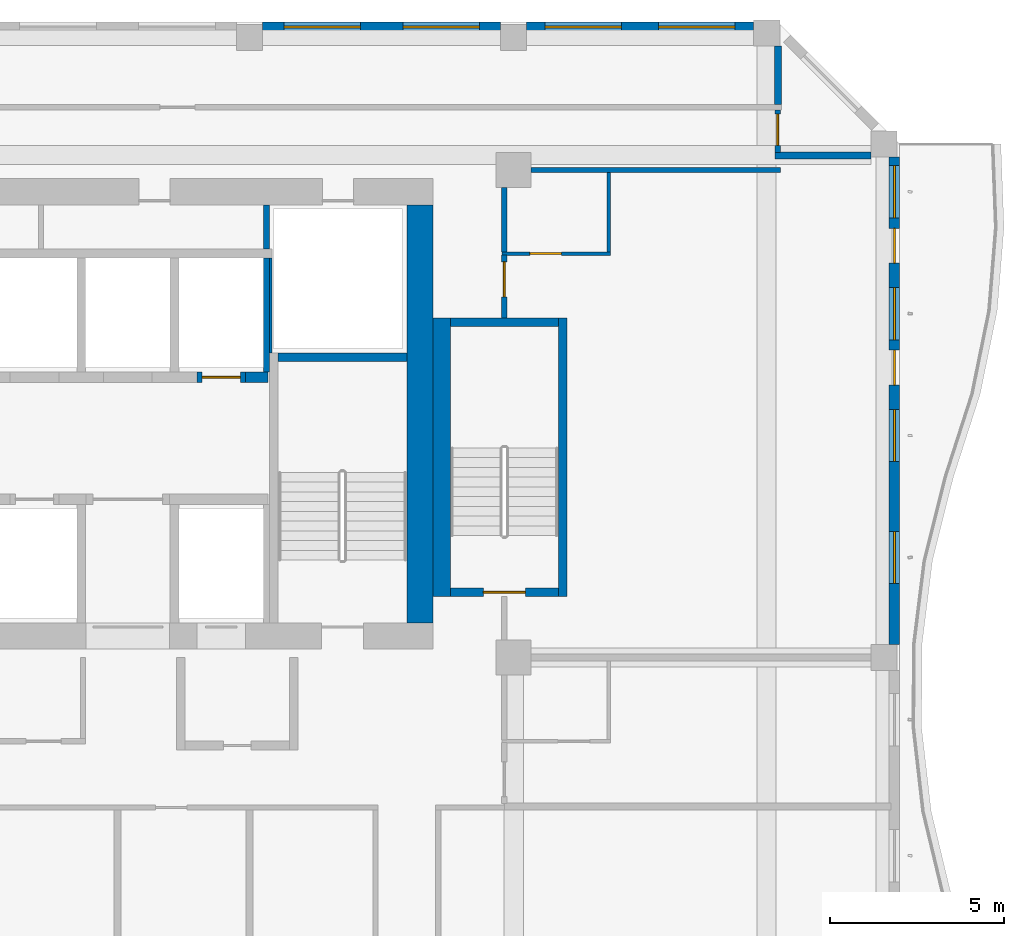
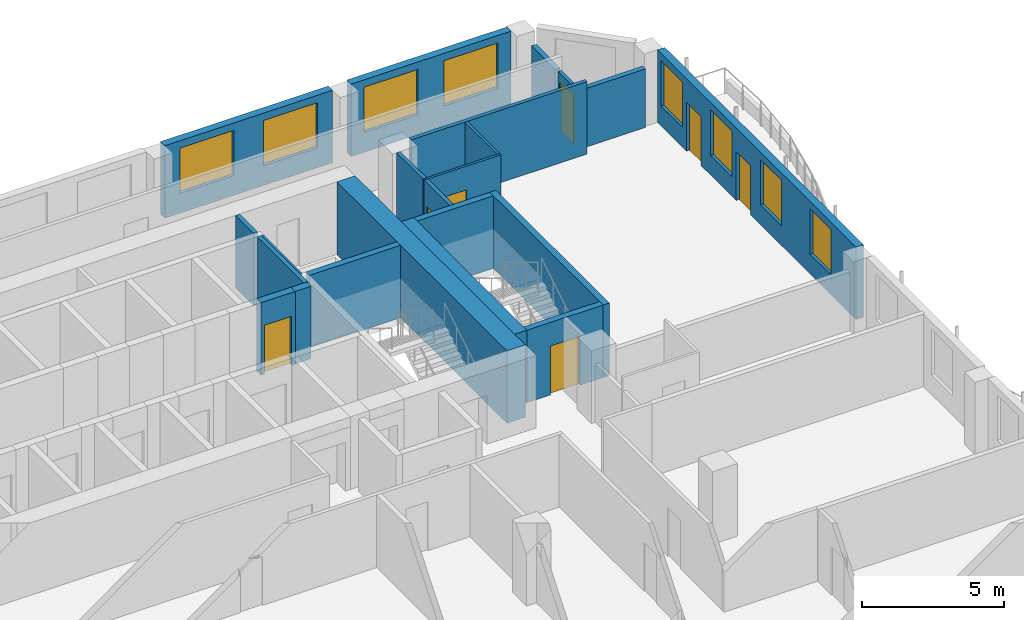
# One storey, part 9 of 21: 22 walls, 8 windows, 7 doors, 15 openings.
"""IFC4 building model written with IfcOpenShell, lengths in metres."""

import ifcopenshell
import ifcopenshell.guid

model = None  # the IFC model being written
_history = None  # IfcOwnerHistory: only IFC2X3 demands one
_inside = {}  # id of a spatial element -> (the spatial element, [elements in it])
_under = {}  # id of a project, library or spatial element -> (it, [spatial elements below it])
_declared = {}  # id of a project -> (the project, [libraries it declares])
_typed = {}  # id of a type object -> (the type object, [elements of that type])
_made_of = {}  # id of a material, layer set ... -> (it, [elements and type objects made of it])


def new_model(schema):
    """Start an empty IFC model of exactly this schema.

    Asked for "IFC4X3", IfcOpenShell would pick the latest addendum, in which some entities
    have other attributes; the version numbers below select the first issue.
    IFC2X3 requires an IfcOwnerHistory on every rooted entity: one is made here for all.
    """
    global model, _history
    if schema == "IFC4X3":
        model = ifcopenshell.file(schema_version=(4, 3, 0, 0))
    else:
        model = ifcopenshell.file(schema=schema)
    _inside.clear()
    _under.clear()
    _declared.clear()
    _typed.clear()
    _made_of.clear()
    _history = None
    if model.schema == "IFC2X3":
        org = make("IfcOrganization", Name="unknown")
        user = make(
            "IfcPersonAndOrganization",
            ThePerson=make("IfcPerson", FamilyName="unknown"),
            TheOrganization=org,
        )
        app = make(
            "IfcApplication",
            ApplicationDeveloper=org,
            Version="unknown",
            ApplicationFullName="unknown",
            ApplicationIdentifier="unknown",
        )
        _history = make(
            "IfcOwnerHistory",
            OwningUser=user,
            OwningApplication=app,
            ChangeAction="ADDED",
            CreationDate=0,
        )
    return model


def make(cls, **values):
    """One entity of the class cls with the attributes given. An attribute that is None is left unset."""
    return model.create_entity(
        cls, **{name: value for name, value in values.items() if value is not None}
    )


def rooted(cls, **values):
    """An entity with a GlobalId (a new one), such as an element, a storey or a relation."""
    return make(cls, GlobalId=ifcopenshell.guid.new(), OwnerHistory=_history, **values)


def si_unit(unit_type, name, prefix=None):
    """IfcSIUnit, for example si_unit("LENGTHUNIT", "METRE", prefix="MILLI")."""
    return make("IfcSIUnit", UnitType=unit_type, Prefix=prefix, Name=name)


def assignment(units):
    """IfcUnitAssignment: the units of a project."""
    return None if units is None else make("IfcUnitAssignment", Units=units)


def point(xyz):
    """IfcCartesianPoint."""
    return None if xyz is None else make("IfcCartesianPoint", Coordinates=xyz)


def direction(xyz):
    """IfcDirection."""
    return None if xyz is None else make("IfcDirection", DirectionRatios=xyz)


def frame(location, z_axis=None, x_axis=None):
    """IfcAxis2Placement3D, a coordinate frame: its origin and axes. An axis left out is left unset."""
    return make(
        "IfcAxis2Placement3D",
        Location=point(location),
        Axis=direction(z_axis),
        RefDirection=direction(x_axis),
    )


def frame_2d(location, x_axis=None):
    """IfcAxis2Placement2D, a coordinate frame in the plane: its origin and x axis."""
    return make(
        "IfcAxis2Placement2D", Location=point(location), RefDirection=direction(x_axis)
    )


def origin():
    """The frame at (0, 0, 0) with its axes left unset."""
    return frame((0.0, 0.0, 0.0))


def place(relative_to, where):
    """IfcLocalPlacement: puts the frame where relative to a parent placement (None: the world)."""
    return make(
        "IfcLocalPlacement", PlacementRelTo=relative_to, RelativePlacement=where
    )


def context(
    kind, dimensions, precision=None, world=None, true_north=None, identifier=None
):
    """IfcGeometricRepresentationContext, for example the 3D "Model" context."""
    return make(
        "IfcGeometricRepresentationContext",
        ContextIdentifier=identifier,
        ContextType=kind,
        CoordinateSpaceDimension=dimensions,
        Precision=precision,
        WorldCoordinateSystem=world,
        TrueNorth=true_north,
    )


def subcontext(parent, identifier, kind, view, scale=None):
    """IfcGeometricRepresentationSubContext, for example "Body" below "Model"."""
    return make(
        "IfcGeometricRepresentationSubContext",
        ContextIdentifier=identifier,
        ContextType=kind,
        ParentContext=parent,
        TargetScale=scale,
        TargetView=view,
    )


def project(units=None, contexts=None):
    """IfcProject with its units and contexts."""
    return rooted(
        "IfcProject",
        Name="project",
        RepresentationContexts=contexts,
        UnitsInContext=assignment(units),
    )


def spatial(cls, under=None, at=None, **own):
    """A site, building, storey or space (cls), placed at a placement, below another one or the project."""
    s = rooted(cls, ObjectPlacement=at, **own)
    if under is not None:
        _under.setdefault(under.id(), (under, []))[1].append(s)
    return s


def profile(cls, at=None, kind="AREA", **sizes):
    """A parametric profile (cls). Its sizes go by their IFC names, for example OverallWidth=200.0."""
    return make(cls, ProfileType=kind, Position=at, **sizes)


def rectangle(**sizes):
    """IfcRectangleProfileDef."""
    return profile("IfcRectangleProfileDef", **sizes)


def extrude(swept, where, along, depth):
    """IfcExtrudedAreaSolid: the profile swept, set in the frame where, extruded along a direction by depth."""
    return make(
        "IfcExtrudedAreaSolid",
        SweptArea=swept,
        Position=where,
        ExtrudedDirection=direction(along),
        Depth=depth,
    )


def shape(context_of_items, identifier, shape_type, items):
    """IfcShapeRepresentation: the items that make up one representation, for example the "Body"."""
    return make(
        "IfcShapeRepresentation",
        ContextOfItems=context_of_items,
        RepresentationIdentifier=identifier,
        RepresentationType=shape_type,
        Items=items,
    )


def source(mapping_origin, context_of_items, identifier, shape_type, items):
    """IfcRepresentationMap: a shape defined once, which mapped items show again and again."""
    return make(
        "IfcRepresentationMap",
        MappingOrigin=mapping_origin,
        MappedRepresentation=shape(context_of_items, identifier, shape_type, items),
    )


def transform(
    local_origin,
    x_axis=None,
    y_axis=None,
    z_axis=None,
    scale=None,
    scale2=None,
    scale3=None,
    uniform=True,
):
    """IfcCartesianTransformationOperator3D, or its non-uniform kind. x_axis, y_axis, z_axis: its Axis1, 2, 3."""
    if uniform:
        return make(
            "IfcCartesianTransformationOperator3D",
            Axis1=direction(x_axis),
            Axis2=direction(y_axis),
            LocalOrigin=point(local_origin),
            Scale=scale,
            Axis3=direction(z_axis),
        )
    return make(
        "IfcCartesianTransformationOperator3DnonUniform",
        Axis1=direction(x_axis),
        Axis2=direction(y_axis),
        LocalOrigin=point(local_origin),
        Scale=scale,
        Axis3=direction(z_axis),
        Scale2=scale2,
        Scale3=scale3,
    )


def mapped(mapping_source, mapping_target):
    """IfcMappedItem: shows the shape of a source again, moved by a transform."""
    return make(
        "IfcMappedItem", MappingSource=mapping_source, MappingTarget=mapping_target
    )


def material(Name=None, Category=None):
    """IfcMaterial."""
    return make("IfcMaterial", Name=Name, Category=Category)


def layer(
    of_material, thickness, ventilated=None, Name=None, Category=None, Priority=None
):
    """IfcMaterialLayer: one layer of a wall or slab, of a material (None: an air gap)."""
    return make(
        "IfcMaterialLayer",
        Material=of_material,
        LayerThickness=thickness,
        IsVentilated=ventilated,
        Name=Name,
        Category=Category,
        Priority=Priority,
    )


def layer_set(layers, Name=None):
    """IfcMaterialLayerSet."""
    return make("IfcMaterialLayerSet", MaterialLayers=layers, LayerSetName=Name)


def made_of(thing, what):
    """Note that an element or type object is made of a material, layer set ...; save() writes the relation."""
    if what is not None:
        _made_of.setdefault(what.id(), (what, []))[1].append(thing)
    return thing


def type_object(cls, material=None, **own):
    """A type object (cls), such as IfcWallType, which elements share."""
    return made_of(rooted(cls, **own), material)


def element(
    cls,
    number,
    at=None,
    inside=None,
    cuts=None,
    type_object=None,
    material=None,
    context=None,
    identifier="Body",
    shape_type=None,
    held_by="IfcProductDefinitionShape",
    body=None,
    shapes=None,
    **own,
):
    """One element of the class cls, such as IfcWall. Its Tag is "e" and its number.

    at: its placement. inside: the storey or other place that contains it. cuts: it is an
    opening in that element (IfcRelVoidsElement). A single representation is given by context,
    identifier, shape_type and body (its items); several are given by shapes. held_by: the class
    of the entity that holds the representations. save() writes the other relations.
    """
    e = rooted(cls, Tag="e%d" % number, ObjectPlacement=at, **own)
    if body is not None:
        shapes = [shape(context, identifier, shape_type, body)]
    if shapes is not None:
        e.Representation = make(held_by, Representations=shapes)
    if inside is not None:
        _inside.setdefault(inside.id(), (inside, []))[1].append(e)
    if cuts is not None:
        rooted(
            "IfcRelVoidsElement", RelatingBuildingElement=cuts, RelatedOpeningElement=e
        )
    if type_object is not None:
        _typed.setdefault(type_object.id(), (type_object, []))[1].append(e)
    return made_of(e, material)


def fill(opening, filler):
    """IfcRelFillsElement: the door or window that sits in an opening."""
    return rooted(
        "IfcRelFillsElement",
        RelatingOpeningElement=opening,
        RelatedBuildingElement=filler,
    )


def aggregate(whole, parts):
    """IfcRelAggregates: a whole, such as a stair, and the parts it consists of."""
    return rooted("IfcRelAggregates", RelatingObject=whole, RelatedObjects=parts)


def save(model, path):
    """Write the relations noted so far, then the file.

    IfcRelAggregates (storeys below a building ...), IfcRelContainedInSpatialStructure (elements
    in a storey), IfcRelDefinesByType, IfcRelAssociatesMaterial and IfcRelDeclares: one each for
    every whole, place, type object, material and project.
    """
    for whole, parts in _under.values():
        aggregate(whole, parts)
    for where, things in _inside.values():
        rooted(
            "IfcRelContainedInSpatialStructure",
            RelatedElements=things,
            RelatingStructure=where,
        )
    for kind, things in _typed.values():
        rooted("IfcRelDefinesByType", RelatedObjects=things, RelatingType=kind)
    for what, things in _made_of.values():
        rooted("IfcRelAssociatesMaterial", RelatedObjects=things, RelatingMaterial=what)
    for by, libraries in _declared.values():
        rooted("IfcRelDeclares", RelatingContext=by, RelatedDefinitions=libraries)
    model.write(path)


model = new_model("IFC4")

# Units and contexts
model_context = context("Model", 3, precision=1e-05, world=origin(), true_north=direction((0.0, 1.0)))
body_context = subcontext(model_context, "Body", "Model", "MODEL_VIEW")
ifc_project = project(units=[si_unit("LENGTHUNIT", "METRE"), si_unit("AREAUNIT", "SQUARE_METRE"), si_unit("VOLUMEUNIT", "CUBIC_METRE"), si_unit("PLANEANGLEUNIT", "RADIAN"), si_unit("MASSUNIT", "GRAM", prefix="KILO")], contexts=[model_context])

# Site, building, storey
site_placement = place(None, origin())
site = spatial("IfcSite", under=ifc_project, at=site_placement, CompositionType="ELEMENT")
building_placement = place(site_placement, origin())
building = spatial("IfcBuilding", under=site, at=building_placement, Name="Kilnfold Tower and Market Hall", CompositionType="ELEMENT")
storey_placement = place(building_placement, frame((0.0, 0.0, 210.10009765625)))
storey = spatial("IfcBuildingStorey", under=building, at=storey_placement, Name="L51", CompositionType="ELEMENT", Elevation=210.10009765625)

# Wall, opening, door
ifc_material_1 = material(Name="Gypsum board on steel studs", Category="steel")
ifc_layer_1 = layer(ifc_material_1, 0.14990234375)
ifc_layer_set_1 = layer_set([ifc_layer_1], Name="Gypsum board on steel studs")
wall_type_1 = type_object("IfcWallType", Name="WALL CORRIDOR 150", PredefinedType="PARTITIONING", material=ifc_layer_set_1)
wall_1_placement = place(storey_placement, frame((19.89990234375, 17.75, 0.0), z_axis=(0.0, 0.0, 1.0), x_axis=(0.0, 1.0, 0.0)))
wall_1 = element("IfcWall", 1, at=wall_1_placement, inside=storey, type_object=wall_type_1, Name="Partition LY31.20", PredefinedType="PARTITIONING", context=body_context, shape_type="SweptSolid", body=[
    extrude(rectangle(XDim=1.81005859375, YDim=0.14990234375, at=frame_2d((0.905029296875, 0.0))), origin(), (0.0, 0.0, 1.0), 3.119873046875),
])
opening_1_placement = place(wall_1_placement, frame((0.610107421875, 0.0, 0.0)))
opening_1 = element("IfcOpeningElement", 2, at=opening_1_placement, cuts=wall_1, Name="Opening D1", PredefinedType="OPENING", context=body_context, shape_type="SweptSolid", body=[
    extrude(rectangle(XDim=1.0, YDim=2.10009765625, at=frame_2d((0.5, 1.050048828125))), frame((0.0, 0.0849609375, 0.0), z_axis=(0.0, -1.0, 0.0), x_axis=(1.0, 0.0, 0.0)), (0.0, 0.0, 1.0), 0.169921875),
])
ifc_material_2 = material(Name="Timber veneer door leaf in steel frame", Category="steel")
door_type_1 = type_object("IfcDoorType", Name="DOOR ENTRY 1000 X2100", OperationType="NOTDEFINED", PredefinedType="DOOR", material=ifc_material_2)
door_1_placement = place(opening_1_placement, origin())
door_1 = element("IfcDoor", 3, at=door_1_placement, inside=storey, type_object=door_type_1, Name="Door D1", OperationType="SINGLE_SWING_LEFT", OverallHeight=2.10009765625, OverallWidth=1.0, PredefinedType="DOOR", context=body_context, shape_type="SweptSolid", body=[
    extrude(rectangle(XDim=1.0, YDim=2.10009765625, at=frame_2d((0.5, 1.050048828125))), frame((0.0, 0.02490234375, 0.0), z_axis=(0.0, -1.0, 0.0), x_axis=(1.0, 0.0, 0.0)), (0.0, 0.0, 1.0), 0.050048828125),
])
fill(opening_1, door_1)

# Walls
wall_2_placement = place(storey_placement, frame((20.6669921875, 22.0, 0.0), z_axis=(0.0, 0.0, 1.0), x_axis=(1.0, 0.0, 0.0)))
element("IfcWall", 4, at=wall_2_placement, inside=storey, type_object=wall_type_1, Name="Partition LY31.22", PredefinedType="PARTITIONING", context=body_context, shape_type="SweptSolid", body=[
    extrude(rectangle(XDim=7.157958984375, YDim=0.14990234375, at=frame_2d((3.5791015625, 0.0))), origin(), (0.0, 0.0, 1.0), 3.119873046875),
])
wall_3_placement = place(storey_placement, frame((19.89990234375, 19.639892578125, 0.0), z_axis=(0.0, 0.0, 1.0), x_axis=(0.0, 1.0, 0.0)))
element("IfcWall", 5, at=wall_3_placement, inside=storey, type_object=wall_type_1, Name="Partition LY31.23", PredefinedType="PARTITIONING", context=body_context, shape_type="SweptSolid", body=[
    extrude(rectangle(XDim=1.860107421875, YDim=0.14990234375, at=frame_2d((0.93017578125, 0.0))), origin(), (0.0, 0.0, 1.0), 3.119873046875),
])

# Wall, opening, door
wall_4_placement = place(storey_placement, frame((27.75, 22.5029296875, 0.0), z_axis=(0.0, 0.0, 1.0), x_axis=(0.0, 1.0, 0.0)))
wall_4 = element("IfcWall", 6, at=wall_4_placement, inside=storey, type_object=wall_type_1, Name="Partition LY31.24", PredefinedType="PARTITIONING", context=body_context, shape_type="SweptSolid", body=[
    extrude(rectangle(XDim=1.22216796875, YDim=0.14990234375, at=frame_2d((0.611083984375, 0.0))), origin(), (0.0, 0.0, 1.0), 2.52001953125),
])
opening_2_placement = place(wall_4_placement, frame((0.201904296875, 0.0, 0.0)))
opening_2 = element("IfcOpeningElement", 7, at=opening_2_placement, cuts=wall_4, Name="Opening D2", PredefinedType="OPENING", context=body_context, shape_type="SweptSolid", body=[
    extrude(rectangle(XDim=0.89990234375, YDim=2.10009765625, at=frame_2d((0.449951171875, 1.050048828125))), frame((0.0, 0.0849609375, 0.0), z_axis=(0.0, -1.0, 0.0), x_axis=(1.0, 0.0, 0.0)), (0.0, 0.0, 1.0), 0.169921875),
])
ifc_material_3 = material(Name="Timber veneer door leaf in steel frame", Category="steel")
door_type_2 = type_object("IfcDoorType", Name="DOOR ROOM 900 X2100", OperationType="NOTDEFINED", PredefinedType="DOOR", material=ifc_material_3)
door_2_placement = place(opening_2_placement, origin())
door_2 = element("IfcDoor", 8, at=door_2_placement, inside=storey, type_object=door_type_2, Name="Door D2", OperationType="SINGLE_SWING_RIGHT", OverallHeight=2.10009765625, OverallWidth=0.89990234375, PredefinedType="DOOR", context=body_context, shape_type="SweptSolid", body=[
    extrude(rectangle(XDim=0.89990234375, YDim=2.10009765625, at=frame_2d((0.449951171875, 1.050048828125))), frame((0.0, 0.02490234375, 0.0), z_axis=(0.0, -1.0, 0.0), x_axis=(1.0, 0.0, 0.0)), (0.0, 0.0, 1.0), 0.050048828125),
])
fill(opening_2, door_2)

ifc_material_4 = material(Name="Gypsum board on steel studs", Category="steel")
ifc_layer_2 = layer(ifc_material_4, 0.10009765625)
ifc_layer_set_2 = layer_set([ifc_layer_2], Name="Gypsum board on steel studs")
wall_type_2 = type_object("IfcWallType", Name="WALL PARTITION 100", PredefinedType="PARTITIONING", material=ifc_layer_set_2)
wall_5_placement = place(storey_placement, frame((22.951904296875, 19.60009765625, 0.0), z_axis=(0.0, 0.0, 1.0), x_axis=(-1.0, 0.0, 0.0)))
wall_5 = element("IfcWall", 9, at=wall_5_placement, inside=storey, type_object=wall_type_2, Name="Partition LY31.89", PredefinedType="PARTITIONING", context=body_context, shape_type="SweptSolid", body=[
    extrude(rectangle(XDim=3.125, YDim=0.10009765625, at=frame_2d((1.5625, 0.0))), origin(), (0.0, 0.0, 1.0), 3.119873046875),
])
opening_3_placement = place(wall_5_placement, frame((1.4169921875, 0.0, 0.0)))
opening_3 = element("IfcOpeningElement", 10, at=opening_3_placement, cuts=wall_5, Name="Opening D3", PredefinedType="OPENING", context=body_context, shape_type="SweptSolid", body=[
    extrude(rectangle(XDim=0.89990234375, YDim=2.10009765625, at=frame_2d((0.449951171875, 1.050048828125))), frame((0.0, 0.06005859375, 0.0), z_axis=(0.0, -1.0, 0.0), x_axis=(1.0, 0.0, 0.0)), (0.0, 0.0, 1.0), 0.1201171875),
])
ifc_material_5 = material(Name="Timber veneer door leaf in steel frame", Category="steel")
door_type_3 = type_object("IfcDoorType", Name="DOOR WC 900 X2100", OperationType="NOTDEFINED", PredefinedType="DOOR", material=ifc_material_5)
door_3_placement = place(opening_3_placement, origin())
door_3 = element("IfcDoor", 11, at=door_3_placement, inside=storey, type_object=door_type_3, Name="Door D3", OperationType="SINGLE_SWING_LEFT", OverallHeight=2.10009765625, OverallWidth=0.89990234375, PredefinedType="DOOR", context=body_context, shape_type="SweptSolid", body=[
    extrude(rectangle(XDim=0.89990234375, YDim=2.10009765625, at=frame_2d((0.449951171875, 1.050048828125))), frame((0.0, 0.02490234375, 0.0), z_axis=(0.0, -1.0, 0.0), x_axis=(1.0, 0.0, 0.0)), (0.0, 0.0, 1.0), 0.050048828125),
])
fill(opening_3, door_3)

# Walls
wall_6_placement = place(storey_placement, frame((22.902099609375, 19.64990234375, 0.0), z_axis=(0.0, 0.0, 1.0), x_axis=(0.0, 1.0, 0.0)))
element("IfcWall", 12, at=wall_6_placement, inside=storey, type_object=wall_type_2, Name="Partition LY31.90", PredefinedType="PARTITIONING", context=body_context, shape_type="SweptSolid", body=[
    extrude(rectangle(XDim=2.273193359375, YDim=0.10009765625, at=frame_2d((1.13671875, 0.0))), origin(), (0.0, 0.0, 1.0), 3.119873046875),
])
ifc_material_6 = material(Name="Gypsum board on steel studs", Category="steel")
ifc_layer_3 = layer(ifc_material_6, 0.199951171875)
ifc_layer_set_3 = layer_set([ifc_layer_3], Name="Gypsum board on steel studs")
wall_type_3 = type_object("IfcWallType", Name="WALL PARTY 200", PredefinedType="PARTITIONING", material=ifc_layer_set_3)
wall_7_placement = place(storey_placement, frame((30.425048828125, 22.4130859375, 0.0), z_axis=(0.0, 0.0, 1.0), x_axis=(-1.0, 0.0, 0.0)))
element("IfcWall", 13, at=wall_7_placement, inside=storey, type_object=wall_type_3, Name="Partition LY31.91", PredefinedType="PARTITIONING", context=body_context, shape_type="SweptSolid", body=[
    extrude(rectangle(XDim=2.748046875, YDim=0.199951171875, at=frame_2d((1.3740234375, 0.0))), origin(), (0.0, 0.0, 1.0), 2.52001953125),
])
wall_8_placement = place(storey_placement, frame((27.75, 25.556884765625, 0.0), z_axis=(0.0, 0.0, 1.0), x_axis=(0.0, -1.0, 0.0)))
element("IfcWall", 14, at=wall_8_placement, inside=storey, type_object=wall_type_3, Name="Partition LY31.92", PredefinedType="PARTITIONING", context=body_context, shape_type="SweptSolid", body=[
    extrude(rectangle(XDim=1.679931640625, YDim=0.199951171875, at=frame_2d((0.83984375, 0.0))), origin(), (0.0, 0.0, 1.0), 2.52001953125),
])
ifc_material_7 = material(Name="Concrete C60", Category="concrete")
ifc_layer_4 = layer(ifc_material_7, 0.25)
ifc_layer_set_4 = layer_set([ifc_layer_4], Name="Concrete C60")
wall_type_4 = type_object("IfcWallType", Name="CORE WALL 250 C60", PredefinedType="SHEAR", material=ifc_layer_set_4)
shared_shape_1 = source(origin(), body_context, "Body", "SweptSolid", [
    extrude(rectangle(XDim=3.7001953125, YDim=0.25, at=frame_2d((1.85009765625, 0.0))), origin(), (0.0, 0.0, 1.0), 3.119873046875),
])
wall_9_placement = place(storey_placement, frame((13.39990234375, 16.625, 0.0), z_axis=(0.0, 0.0, 1.0), x_axis=(1.0, 0.0, 0.0)))
element("IfcWall", 15, at=wall_9_placement, inside=storey, type_object=wall_type_4, Name="Stair enclosure ST2", PredefinedType="SHEAR", context=body_context, shape_type="MappedRepresentation", body=[
    mapped(shared_shape_1, transform((0.0, 0.0, 0.0))),
])
shared_shape_2 = source(origin(), body_context, "Body", "SweptSolid", [
    extrude(rectangle(XDim=8.0, YDim=0.25, at=frame_2d((4.0, 0.0))), origin(), (0.0, 0.0, 1.0), 3.119873046875),
])
wall_10_placement = place(storey_placement, frame((21.574951171875, 9.75, 0.0), z_axis=(0.0, 0.0, 1.0), x_axis=(0.0, 1.0, 0.0)))
element("IfcWall", 16, at=wall_10_placement, inside=storey, type_object=wall_type_4, Name="Stair enclosure ST5", PredefinedType="SHEAR", context=body_context, shape_type="MappedRepresentation", body=[
    mapped(shared_shape_2, transform((0.0, 0.0, 0.0))),
])

# Wall, opening, door
shared_shape_3 = source(origin(), body_context, "Body", "SweptSolid", [
    extrude(rectangle(XDim=3.099853515625, YDim=0.25, at=frame_2d((1.5498046875, 0.0))), origin(), (0.0, 0.0, 1.0), 3.119873046875),
])
wall_11_placement = place(storey_placement, frame((18.35009765625, 9.875, 0.0), z_axis=(0.0, 0.0, 1.0), x_axis=(1.0, 0.0, 0.0)))
wall_11 = element("IfcWall", 17, at=wall_11_placement, inside=storey, type_object=wall_type_4, Name="Stair enclosure ST5", PredefinedType="SHEAR", context=body_context, shape_type="MappedRepresentation", body=[
    mapped(shared_shape_3, transform((0.0, 0.0, 0.0))),
])
opening_4_placement = place(wall_11_placement, frame((0.949951171875, 0.0, 0.0)))
opening_4 = element("IfcOpeningElement", 18, at=opening_4_placement, cuts=wall_11, Name="Opening SD1", PredefinedType="OPENING", context=body_context, shape_type="SweptSolid", body=[
    extrude(rectangle(XDim=1.199951171875, YDim=2.10009765625, at=frame_2d((0.60009765625, 1.050048828125))), frame((0.0, 0.135009765625, 0.0), z_axis=(0.0, -1.0, 0.0), x_axis=(1.0, 0.0, 0.0)), (0.0, 0.0, 1.0), 0.27001953125),
])
ifc_material_8 = material(Name="Steel door set with fire-resisting leaf", Category="steel")
door_type_4 = type_object("IfcDoorType", Name="STAIR FLOOR DOOR 1200X2100", OperationType="NOTDEFINED", PredefinedType="DOOR", material=ifc_material_8)
door_4_placement = place(opening_4_placement, origin())
door_4 = element("IfcDoor", 19, at=door_4_placement, inside=storey, type_object=door_type_4, Name="Exit stair ST5 door", OperationType="DOUBLE_DOOR_SINGLE_SWING", OverallHeight=2.10009765625, OverallWidth=1.199951171875, PredefinedType="DOOR", context=body_context, shape_type="SweptSolid", body=[
    extrude(rectangle(XDim=1.199951171875, YDim=2.10009765625, at=frame_2d((0.60009765625, 1.050048828125))), frame((0.0, 0.02490234375, 0.0), z_axis=(0.0, -1.0, 0.0), x_axis=(1.0, 0.0, 0.0)), (0.0, 0.0, 1.0), 0.050048828125),
])
fill(opening_4, door_4)

# Walls
wall_12_placement = place(storey_placement, frame((18.35009765625, 17.625, 0.0), z_axis=(0.0, 0.0, 1.0), x_axis=(1.0, 0.0, 0.0)))
element("IfcWall", 20, at=wall_12_placement, inside=storey, type_object=wall_type_4, Name="Stair enclosure ST5", PredefinedType="SHEAR", context=body_context, shape_type="MappedRepresentation", body=[
    mapped(shared_shape_3, transform((0.0, 0.0, 0.0))),
])
ifc_material_9 = material(Name="Concrete C60", Category="concrete")
ifc_layer_5 = layer(ifc_material_9, 0.300048828125)
ifc_layer_set_5 = layer_set([ifc_layer_5], Name="Concrete C60")
wall_type_5 = type_object("IfcWallType", Name="CORE WALL 300 C60", PredefinedType="SHEAR", material=ifc_layer_set_5)
shared_shape_4 = source(origin(), body_context, "Body", "SweptSolid", [
    extrude(rectangle(XDim=0.64013671875, YDim=0.300048828125, at=frame_2d((0.320068359375, 0.0))), origin(), (0.0, 0.0, 1.0), 3.119873046875),
])
wall_13_placement = place(storey_placement, frame((12.469970703125, 16.050048828125, 0.0), z_axis=(0.0, 0.0, 1.0), x_axis=(1.0, 0.0, 0.0)))
element("IfcWall", 21, at=wall_13_placement, inside=storey, type_object=wall_type_5, Name="Core spine wall", PredefinedType="SHEAR", context=body_context, shape_type="MappedRepresentation", body=[
    mapped(shared_shape_4, transform((0.0, 0.0, 0.0))),
])
ifc_material_10 = material(Name="Concrete C60", Category="concrete")
ifc_layer_6 = layer(ifc_material_10, 0.75)
ifc_layer_set_6 = layer_set([ifc_layer_6], Name="Concrete C60")
wall_type_6 = type_object("IfcWallType", Name="CORE WALL 750 C60", PredefinedType="SHEAR", material=ifc_layer_set_6)
shared_shape_5 = source(origin(), body_context, "Body", "SweptSolid", [
    extrude(rectangle(XDim=12.0, YDim=0.75, at=frame_2d((6.0, 0.0))), origin(), (0.0, 0.0, 1.0), 3.119873046875),
])
wall_14_placement = place(storey_placement, frame((17.47509765625, 9.0, 0.0), z_axis=(0.0, 0.0, 1.0), x_axis=(0.0, 1.0, 0.0)))
element("IfcWall", 22, at=wall_14_placement, inside=storey, type_object=wall_type_6, Name="Core outer wall east", PredefinedType="SHEAR", context=body_context, shape_type="MappedRepresentation", body=[
    mapped(shared_shape_5, transform((0.0, 0.0, 0.0))),
])
ifc_material_11 = material(Name="Concrete C60", Category="concrete")
ifc_layer_7 = layer(ifc_material_11, 0.5)
ifc_layer_set_7 = layer_set([ifc_layer_7], Name="Concrete C60")
wall_type_7 = type_object("IfcWallType", Name="CORE WALL 500 C60", PredefinedType="SHEAR", material=ifc_layer_set_7)
shared_shape_6 = source(origin(), body_context, "Body", "SweptSolid", [
    extrude(rectangle(XDim=8.0, YDim=0.5, at=frame_2d((4.0, 0.0))), origin(), (0.0, 0.0, 1.0), 3.119873046875),
])
wall_15_placement = place(storey_placement, frame((18.10009765625, 9.75, 0.0), z_axis=(0.0, 0.0, 1.0), x_axis=(0.0, 1.0, 0.0)))
element("IfcWall", 23, at=wall_15_placement, inside=storey, type_object=wall_type_7, Name="Stair enclosure ST5", PredefinedType="SHEAR", context=body_context, shape_type="MappedRepresentation", body=[
    mapped(shared_shape_6, transform((0.0, 0.0, 0.0))),
])

# Wall, openings, windows
ifc_material_12 = material(Name="Precast concrete C50/60", Category="concrete")
ifc_layer_8 = layer(ifc_material_12, 0.300048828125)
ifc_layer_set_8 = layer_set([ifc_layer_8], Name="Precast concrete C50/60")
wall_type_8 = type_object("IfcWallType", Name="PRECAST WALL 300", PredefinedType="SOLIDWALL", material=ifc_layer_set_8)
shared_shape_7 = source(origin(), body_context, "Body", "SweptSolid", [
    extrude(rectangle(XDim=6.83349609375, YDim=0.300048828125, at=frame_2d((3.416748046875, 0.0))), origin(), (0.0, 0.0, 1.0), 3.119873046875),
])
wall_16_placement = place(storey_placement, frame((19.791748046875, 26.10009765625, 0.0), z_axis=(0.0, 0.0, 1.0), x_axis=(-1.0, 0.0, 0.0)))
wall_16 = element("IfcWall", 24, at=wall_16_placement, inside=storey, type_object=wall_type_8, Name="External wall L51 N", PredefinedType="SOLIDWALL", context=body_context, shape_type="MappedRepresentation", body=[
    mapped(shared_shape_7, transform((0.0, 0.0, 0.0))),
])
opening_5_placement = place(wall_16_placement, frame((0.6083984375, 0.0, 0.85009765625)))
opening_5 = element("IfcOpeningElement", 25, at=opening_5_placement, cuts=wall_16, Name="Opening W2", PredefinedType="OPENING", context=body_context, shape_type="SweptSolid", body=[
    extrude(rectangle(XDim=2.199951171875, YDim=1.949951171875, at=frame_2d((1.10009765625, 0.97509765625))), frame((0.0, 0.16015625, 0.0), z_axis=(0.0, -1.0, 0.0), x_axis=(1.0, 0.0, 0.0)), (0.0, 0.0, 1.0), 0.320068359375),
])
opening_6_placement = place(wall_16_placement, frame((4.02490234375, 0.0, 0.85009765625)))
opening_6 = element("IfcOpeningElement", 26, at=opening_6_placement, cuts=wall_16, Name="Opening W2", PredefinedType="OPENING", context=body_context, shape_type="SweptSolid", body=[
    extrude(rectangle(XDim=2.199951171875, YDim=1.949951171875, at=frame_2d((1.10009765625, 0.97509765625))), frame((0.0, 0.16015625, 0.0), z_axis=(0.0, -1.0, 0.0), x_axis=(1.0, 0.0, 0.0)), (0.0, 0.0, 1.0), 0.320068359375),
])
ifc_material_13 = material(Name="Aluminium frame and double glazing", Category="aluminium")
window_type_1 = type_object("IfcWindowType", Name="WINDOW W2 2200X1950", PartitioningType="SINGLE_PANEL", PredefinedType="WINDOW", material=ifc_material_13)
window_1_placement = place(opening_5_placement, origin())
window_1 = element("IfcWindow", 27, at=window_1_placement, inside=storey, type_object=window_type_1, Name="Window W2 L51 N-1", OverallHeight=1.949951171875, OverallWidth=2.199951171875, PartitioningType="SINGLE_PANEL", PredefinedType="WINDOW", context=body_context, shape_type="SweptSolid", body=[
    extrude(rectangle(XDim=2.199951171875, YDim=1.949951171875, at=frame_2d((1.10009765625, 0.97509765625))), frame((0.0, 0.030029296875, 0.0), z_axis=(0.0, -1.0, 0.0), x_axis=(1.0, 0.0, 0.0)), (0.0, 0.0, 1.0), 0.06005859375),
])
fill(opening_5, window_1)
window_2_placement = place(opening_6_placement, origin())
window_2 = element("IfcWindow", 28, at=window_2_placement, inside=storey, type_object=window_type_1, Name="Window W2 L51 N-2", OverallHeight=1.949951171875, OverallWidth=2.199951171875, PartitioningType="SINGLE_PANEL", PredefinedType="WINDOW", context=body_context, shape_type="SweptSolid", body=[
    extrude(rectangle(XDim=2.199951171875, YDim=1.949951171875, at=frame_2d((1.10009765625, 0.97509765625))), frame((0.0, 0.030029296875, 0.0), z_axis=(0.0, -1.0, 0.0), x_axis=(1.0, 0.0, 0.0)), (0.0, 0.0, 1.0), 0.06005859375),
])
fill(opening_6, window_2)

# Wall, openings, doors, windows
shared_shape_8 = source(origin(), body_context, "Body", "SweptSolid", [
    extrude(rectangle(XDim=14.0, YDim=0.300048828125, at=frame_2d((7.0, 0.0))), origin(), (0.0, 0.0, 1.0), 3.119873046875),
])
wall_17_placement = place(storey_placement, frame((31.10009765625, 8.375, 0.0), z_axis=(0.0, 0.0, 1.0), x_axis=(0.0, 1.0, 0.0)))
wall_17 = element("IfcWall", 29, at=wall_17_placement, inside=storey, type_object=wall_type_8, Name="External wall L51 E", PredefinedType="SOLIDWALL", context=body_context, shape_type="MappedRepresentation", body=[
    mapped(shared_shape_8, transform((0.0, 0.0, 0.0))),
])
opening_7_placement = place(wall_17_placement, frame((1.75, 0.0, 0.85009765625)))
opening_7 = element("IfcOpeningElement", 30, at=opening_7_placement, cuts=wall_17, Name="Opening W4", PredefinedType="OPENING", context=body_context, shape_type="SweptSolid", body=[
    extrude(rectangle(XDim=1.5, YDim=1.949951171875, at=frame_2d((0.75, 0.97509765625))), frame((0.0, 0.16015625, 0.0), z_axis=(0.0, -1.0, 0.0), x_axis=(1.0, 0.0, 0.0)), (0.0, 0.0, 1.0), 0.320068359375),
])
opening_8_placement = place(wall_17_placement, frame((5.25, 0.0, 0.85009765625)))
opening_8 = element("IfcOpeningElement", 31, at=opening_8_placement, cuts=wall_17, Name="Opening W4", PredefinedType="OPENING", context=body_context, shape_type="SweptSolid", body=[
    extrude(rectangle(XDim=1.5, YDim=1.949951171875, at=frame_2d((0.75, 0.97509765625))), frame((0.0, 0.16015625, 0.0), z_axis=(0.0, -1.0, 0.0), x_axis=(1.0, 0.0, 0.0)), (0.0, 0.0, 1.0), 0.320068359375),
])
opening_9_placement = place(wall_17_placement, frame((8.75, 0.0, 0.85009765625)))
opening_9 = element("IfcOpeningElement", 32, at=opening_9_placement, cuts=wall_17, Name="Opening W4", PredefinedType="OPENING", context=body_context, shape_type="SweptSolid", body=[
    extrude(rectangle(XDim=1.5, YDim=1.949951171875, at=frame_2d((0.75, 0.97509765625))), frame((0.0, 0.16015625, 0.0), z_axis=(0.0, -1.0, 0.0), x_axis=(1.0, 0.0, 0.0)), (0.0, 0.0, 1.0), 0.320068359375),
])
opening_10_placement = place(wall_17_placement, frame((7.449951171875, 0.0, 0.0)))
opening_10 = element("IfcOpeningElement", 33, at=opening_10_placement, cuts=wall_17, Name="Opening BD1", PredefinedType="OPENING", context=body_context, shape_type="SweptSolid", body=[
    extrude(rectangle(XDim=1.0, YDim=2.10009765625, at=frame_2d((0.5, 1.050048828125))), frame((0.0, 0.16015625, 0.0), z_axis=(0.0, -1.0, 0.0), x_axis=(1.0, 0.0, 0.0)), (0.0, 0.0, 1.0), 0.320068359375),
])
opening_11_placement = place(wall_17_placement, frame((12.25, 0.0, 0.85009765625)))
opening_11 = element("IfcOpeningElement", 34, at=opening_11_placement, cuts=wall_17, Name="Opening W4", PredefinedType="OPENING", context=body_context, shape_type="SweptSolid", body=[
    extrude(rectangle(XDim=1.5, YDim=1.949951171875, at=frame_2d((0.75, 0.97509765625))), frame((0.0, 0.16015625, 0.0), z_axis=(0.0, -1.0, 0.0), x_axis=(1.0, 0.0, 0.0)), (0.0, 0.0, 1.0), 0.320068359375),
])
opening_12_placement = place(wall_17_placement, frame((10.949951171875, 0.0, 0.0)))
opening_12 = element("IfcOpeningElement", 35, at=opening_12_placement, cuts=wall_17, Name="Opening BD1", PredefinedType="OPENING", context=body_context, shape_type="SweptSolid", body=[
    extrude(rectangle(XDim=1.0, YDim=2.10009765625, at=frame_2d((0.5, 1.050048828125))), frame((0.0, 0.16015625, 0.0), z_axis=(0.0, -1.0, 0.0), x_axis=(1.0, 0.0, 0.0)), (0.0, 0.0, 1.0), 0.320068359375),
])
ifc_material_14 = material(Name="Aluminium frame and double glazing", Category="aluminium")
door_type_5 = type_object("IfcDoorType", Name="BALCONY DOOR 1000X2100", OperationType="NOTDEFINED", PredefinedType="DOOR", material=ifc_material_14)
door_5_placement = place(opening_10_placement, origin())
door_5 = element("IfcDoor", 36, at=door_5_placement, inside=storey, type_object=door_type_5, Name="Balcony door BD1 L51 E-3", OperationType="SINGLE_SWING_LEFT", OverallHeight=2.10009765625, OverallWidth=1.0, PredefinedType="DOOR", context=body_context, shape_type="SweptSolid", body=[
    extrude(rectangle(XDim=1.0, YDim=2.10009765625, at=frame_2d((0.5, 1.050048828125))), frame((0.0, 0.02490234375, 0.0), z_axis=(0.0, -1.0, 0.0), x_axis=(1.0, 0.0, 0.0)), (0.0, 0.0, 1.0), 0.050048828125),
])
fill(opening_10, door_5)
door_6_placement = place(opening_12_placement, origin())
door_6 = element("IfcDoor", 37, at=door_6_placement, inside=storey, type_object=door_type_5, Name="Balcony door BD1 L51 E-4", OperationType="SINGLE_SWING_RIGHT", OverallHeight=2.10009765625, OverallWidth=1.0, PredefinedType="DOOR", context=body_context, shape_type="SweptSolid", body=[
    extrude(rectangle(XDim=1.0, YDim=2.10009765625, at=frame_2d((0.5, 1.050048828125))), frame((0.0, 0.02490234375, 0.0), z_axis=(0.0, -1.0, 0.0), x_axis=(1.0, 0.0, 0.0)), (0.0, 0.0, 1.0), 0.050048828125),
])
fill(opening_12, door_6)
ifc_material_15 = material(Name="Aluminium frame and double glazing", Category="aluminium")
window_type_2 = type_object("IfcWindowType", Name="WINDOW W4 1500X1950", PartitioningType="SINGLE_PANEL", PredefinedType="WINDOW", material=ifc_material_15)
window_3_placement = place(opening_7_placement, origin())
window_3 = element("IfcWindow", 38, at=window_3_placement, inside=storey, type_object=window_type_2, Name="Window W4 L51 E-1", OverallHeight=1.949951171875, OverallWidth=1.5, PartitioningType="SINGLE_PANEL", PredefinedType="WINDOW", context=body_context, shape_type="SweptSolid", body=[
    extrude(rectangle(XDim=1.5, YDim=1.949951171875, at=frame_2d((0.75, 0.97509765625))), frame((0.0, 0.030029296875, 0.0), z_axis=(0.0, -1.0, 0.0), x_axis=(1.0, 0.0, 0.0)), (0.0, 0.0, 1.0), 0.06005859375),
])
fill(opening_7, window_3)
window_4_placement = place(opening_8_placement, origin())
window_4 = element("IfcWindow", 39, at=window_4_placement, inside=storey, type_object=window_type_2, Name="Window W4 L51 E-2", OverallHeight=1.949951171875, OverallWidth=1.5, PartitioningType="SINGLE_PANEL", PredefinedType="WINDOW", context=body_context, shape_type="SweptSolid", body=[
    extrude(rectangle(XDim=1.5, YDim=1.949951171875, at=frame_2d((0.75, 0.97509765625))), frame((0.0, 0.030029296875, 0.0), z_axis=(0.0, -1.0, 0.0), x_axis=(1.0, 0.0, 0.0)), (0.0, 0.0, 1.0), 0.06005859375),
])
fill(opening_8, window_4)
window_5_placement = place(opening_9_placement, origin())
window_5 = element("IfcWindow", 40, at=window_5_placement, inside=storey, type_object=window_type_2, Name="Window W4 L51 E-3", OverallHeight=1.949951171875, OverallWidth=1.5, PartitioningType="SINGLE_PANEL", PredefinedType="WINDOW", context=body_context, shape_type="SweptSolid", body=[
    extrude(rectangle(XDim=1.5, YDim=1.949951171875, at=frame_2d((0.75, 0.97509765625))), frame((0.0, 0.030029296875, 0.0), z_axis=(0.0, -1.0, 0.0), x_axis=(1.0, 0.0, 0.0)), (0.0, 0.0, 1.0), 0.06005859375),
])
fill(opening_9, window_5)
window_6_placement = place(opening_11_placement, origin())
window_6 = element("IfcWindow", 41, at=window_6_placement, inside=storey, type_object=window_type_2, Name="Window W4 L51 E-4", OverallHeight=1.949951171875, OverallWidth=1.5, PartitioningType="SINGLE_PANEL", PredefinedType="WINDOW", context=body_context, shape_type="SweptSolid", body=[
    extrude(rectangle(XDim=1.5, YDim=1.949951171875, at=frame_2d((0.75, 0.97509765625))), frame((0.0, 0.030029296875, 0.0), z_axis=(0.0, -1.0, 0.0), x_axis=(1.0, 0.0, 0.0)), (0.0, 0.0, 1.0), 0.06005859375),
])
fill(opening_11, window_6)

# Wall, openings, windows
shared_shape_9 = source(origin(), body_context, "Body", "SweptSolid", [
    extrude(rectangle(XDim=6.51513671875, YDim=0.300048828125, at=frame_2d((3.257568359375, 0.0))), origin(), (0.0, 0.0, 1.0), 3.119873046875),
])
wall_18_placement = place(storey_placement, frame((27.056884765625, 26.10009765625, 0.0), z_axis=(0.0, 0.0, 1.0), x_axis=(-1.0, 0.0, 0.0)))
wall_18 = element("IfcWall", 42, at=wall_18_placement, inside=storey, type_object=wall_type_8, Name="External wall L51 N", PredefinedType="SOLIDWALL", context=body_context, shape_type="MappedRepresentation", body=[
    mapped(shared_shape_9, transform((0.0, 0.0, 0.0))),
])
opening_13_placement = place(wall_18_placement, frame((0.52880859375, 0.0, 0.85009765625)))
opening_13 = element("IfcOpeningElement", 43, at=opening_13_placement, cuts=wall_18, Name="Opening W2", PredefinedType="OPENING", context=body_context, shape_type="SweptSolid", body=[
    extrude(rectangle(XDim=2.199951171875, YDim=1.949951171875, at=frame_2d((1.10009765625, 0.97509765625))), frame((0.0, 0.16015625, 0.0), z_axis=(0.0, -1.0, 0.0), x_axis=(1.0, 0.0, 0.0)), (0.0, 0.0, 1.0), 0.320068359375),
])
opening_14_placement = place(wall_18_placement, frame((3.786376953125, 0.0, 0.85009765625)))
opening_14 = element("IfcOpeningElement", 44, at=opening_14_placement, cuts=wall_18, Name="Opening W2", PredefinedType="OPENING", context=body_context, shape_type="SweptSolid", body=[
    extrude(rectangle(XDim=2.199951171875, YDim=1.949951171875, at=frame_2d((1.10009765625, 0.97509765625))), frame((0.0, 0.16015625, 0.0), z_axis=(0.0, -1.0, 0.0), x_axis=(1.0, 0.0, 0.0)), (0.0, 0.0, 1.0), 0.320068359375),
])
window_7_placement = place(opening_13_placement, origin())
window_7 = element("IfcWindow", 45, at=window_7_placement, inside=storey, type_object=window_type_1, Name="Window W2 L51 N-1", OverallHeight=1.949951171875, OverallWidth=2.199951171875, PartitioningType="SINGLE_PANEL", PredefinedType="WINDOW", context=body_context, shape_type="SweptSolid", body=[
    extrude(rectangle(XDim=2.199951171875, YDim=1.949951171875, at=frame_2d((1.10009765625, 0.97509765625))), frame((0.0, 0.030029296875, 0.0), z_axis=(0.0, -1.0, 0.0), x_axis=(1.0, 0.0, 0.0)), (0.0, 0.0, 1.0), 0.06005859375),
])
fill(opening_13, window_7)
window_8_placement = place(opening_14_placement, origin())
window_8 = element("IfcWindow", 46, at=window_8_placement, inside=storey, type_object=window_type_1, Name="Window W2 L51 N-2", OverallHeight=1.949951171875, OverallWidth=2.199951171875, PartitioningType="SINGLE_PANEL", PredefinedType="WINDOW", context=body_context, shape_type="SweptSolid", body=[
    extrude(rectangle(XDim=2.199951171875, YDim=1.949951171875, at=frame_2d((1.10009765625, 0.97509765625))), frame((0.0, 0.030029296875, 0.0), z_axis=(0.0, -1.0, 0.0), x_axis=(1.0, 0.0, 0.0)), (0.0, 0.0, 1.0), 0.06005859375),
])
fill(opening_14, window_8)

# Wall, opening, door
ifc_material_16 = material(Name="Gypsum shaft wall system")
ifc_layer_9 = layer(ifc_material_16, 0.300048828125)
ifc_layer_set_9 = layer_set([ifc_layer_9], Name="Gypsum shaft wall system")
wall_type_9 = type_object("IfcWallType", Name="SHAFT WALL 300", PredefinedType="PARTITIONING", material=ifc_layer_set_9)
shared_shape_10 = source(origin(), body_context, "Body", "SweptSolid", [
    extrude(rectangle(XDim=1.39990234375, YDim=0.300048828125, at=frame_2d((0.699951171875, 0.0))), origin(), (0.0, 0.0, 1.0), 3.119873046875),
])
wall_19_placement = place(storey_placement, frame((11.070068359375, 16.050048828125, 0.0), z_axis=(0.0, 0.0, 1.0), x_axis=(1.0, 0.0, 0.0)))
wall_19 = element("IfcWall", 47, at=wall_19_placement, inside=storey, type_object=wall_type_9, Name="Lift shaft front wall", PredefinedType="PARTITIONING", context=body_context, shape_type="MappedRepresentation", body=[
    mapped(shared_shape_10, transform((0.0, 0.0, 0.0))),
])
opening_15_placement = place(wall_19_placement, frame((0.14990234375, 0.0, 0.0)))
opening_15 = element("IfcOpeningElement", 48, at=opening_15_placement, cuts=wall_19, Name="Opening LD2", PredefinedType="OPENING", context=body_context, shape_type="SweptSolid", body=[
    extrude(rectangle(XDim=1.10009765625, YDim=2.10009765625, at=frame_2d((0.550048828125, 1.050048828125))), frame((0.0, 0.16015625, 0.0), z_axis=(0.0, -1.0, 0.0), x_axis=(1.0, 0.0, 0.0)), (0.0, 0.0, 1.0), 0.320068359375),
])
ifc_material_17 = material(Name="Steel door set with fire-resisting leaf", Category="steel")
door_type_6 = type_object("IfcDoorType", Name="LANDING DOOR 1100X2100", OperationType="NOTDEFINED", PredefinedType="DOOR", material=ifc_material_17)
door_7_placement = place(opening_15_placement, origin())
door_7 = element("IfcDoor", 49, at=door_7_placement, inside=storey, type_object=door_type_6, Name="Landing door MR6", OperationType="DOUBLE_DOOR_SLIDING", OverallHeight=2.10009765625, OverallWidth=1.10009765625, PredefinedType="DOOR", context=body_context, shape_type="SweptSolid", body=[
    extrude(rectangle(XDim=1.10009765625, YDim=2.10009765625, at=frame_2d((0.550048828125, 1.050048828125))), frame((0.0, 0.02490234375, 0.0), z_axis=(0.0, -1.0, 0.0), x_axis=(1.0, 0.0, 0.0)), (0.0, 0.0, 1.0), 0.050048828125),
])
fill(opening_15, door_7)

# Walls
ifc_material_18 = material(Name="Gypsum shaft wall system")
ifc_layer_10 = layer(ifc_material_18, 0.1650390625)
ifc_layer_set_10 = layer_set([ifc_layer_10], Name="Gypsum shaft wall system")
wall_type_10 = type_object("IfcWallType", Name="SHAFT WALL 165", PredefinedType="PARTITIONING", material=ifc_layer_set_10)
shared_shape_11 = source(origin(), body_context, "Body", "SweptSolid", [
    extrude(rectangle(XDim=3.275146484375, YDim=0.1650390625, at=frame_2d((1.6376953125, 0.0))), origin(), (0.0, 0.0, 1.0), 3.119873046875),
])
wall_20_placement = place(storey_placement, frame((13.0673828125, 16.199951171875, 0.0), z_axis=(0.0, 0.0, 1.0), x_axis=(0.0, 1.0, 0.0)))
element("IfcWall", 50, at=wall_20_placement, inside=storey, type_object=wall_type_10, Name="Lift shaft wall", PredefinedType="PARTITIONING", context=body_context, shape_type="MappedRepresentation", body=[
    mapped(shared_shape_11, transform((0.0, 0.0, 0.0))),
])
shared_shape_12 = source(origin(), body_context, "Body", "SweptSolid", [
    extrude(rectangle(XDim=1.27490234375, YDim=0.1650390625, at=frame_2d((0.637451171875, 0.0))), origin(), (0.0, 0.0, 1.0), 3.119873046875),
])
wall_21_placement = place(storey_placement, frame((13.0673828125, 19.72509765625, 0.0), z_axis=(0.0, 0.0, 1.0), x_axis=(0.0, 1.0, 0.0)))
element("IfcWall", 51, at=wall_21_placement, inside=storey, type_object=wall_type_10, Name="Lift shaft wall", PredefinedType="PARTITIONING", context=body_context, shape_type="MappedRepresentation", body=[
    mapped(shared_shape_12, transform((0.0, 0.0, 0.0))),
])
ifc_material_19 = material(Name="Gypsum shaft wall system")
ifc_layer_11 = layer(ifc_material_19, 0.0849609375)
ifc_layer_set_11 = layer_set([ifc_layer_11], Name="Gypsum shaft wall system")
wall_type_11 = type_object("IfcWallType", Name="SHAFT WALL 85", PredefinedType="PARTITIONING", material=ifc_layer_set_11)
shared_shape_13 = source(origin(), body_context, "Body", "SweptSolid", [
    extrude(rectangle(XDim=2.72509765625, YDim=0.0849609375, at=frame_2d((1.362548828125, 0.0))), origin(), (0.0, 0.0, 1.0), 3.119873046875),
])
wall_22_placement = place(storey_placement, frame((13.1923828125, 16.75, 0.0), z_axis=(0.0, 0.0, 1.0), x_axis=(0.0, 1.0, 0.0)))
element("IfcWall", 52, at=wall_22_placement, inside=storey, type_object=wall_type_11, Name="Lift shaft wall", PredefinedType="PARTITIONING", context=body_context, shape_type="MappedRepresentation", body=[
    mapped(shared_shape_13, transform((0.0, 0.0, 0.0))),
])

save(model, "model.ifc")
